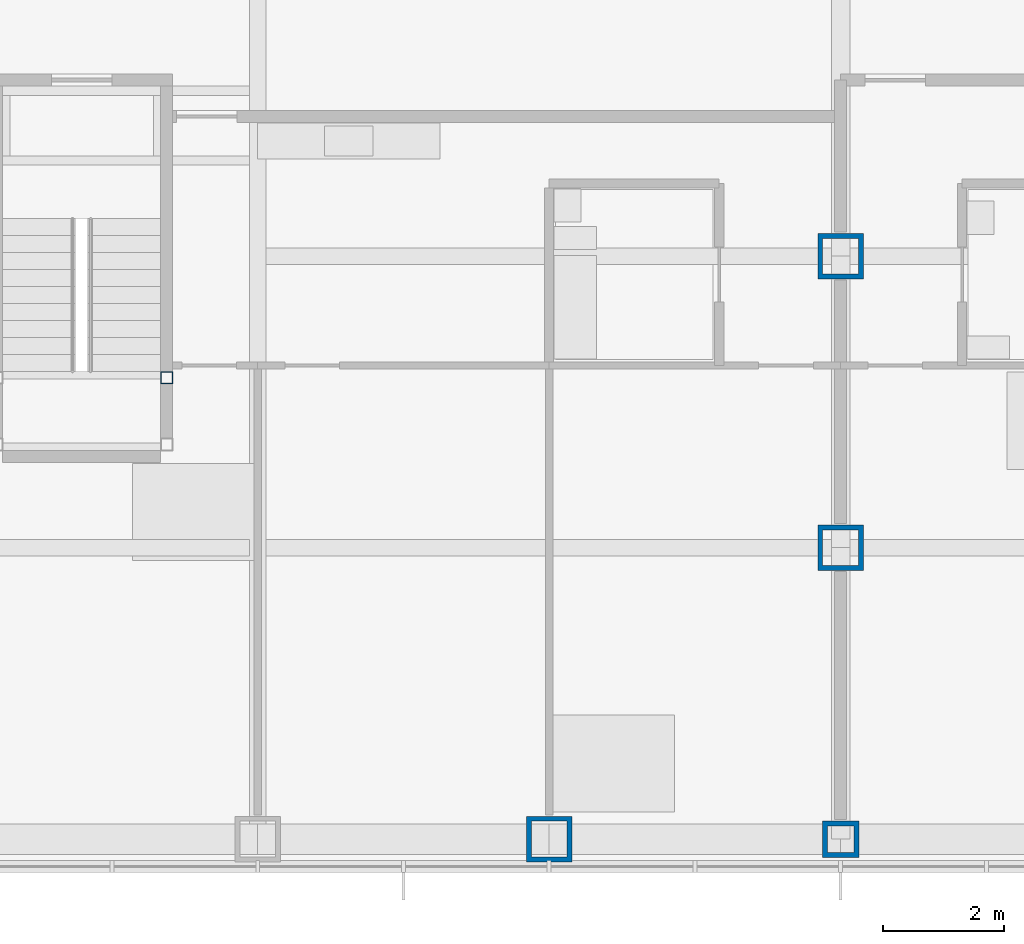
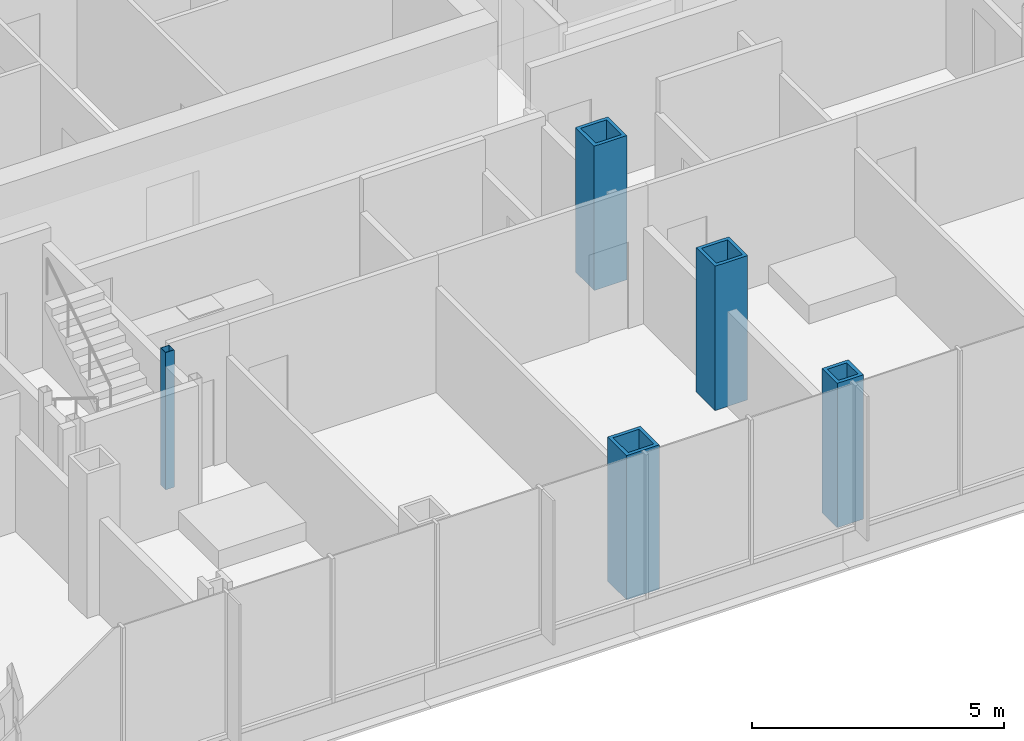
# One storey, part 2 of 21: 5 columns.
"""IFC4 building model written with IfcOpenShell, lengths in metres."""

from ifc_helpers import new_model, si_unit, direction, frame, origin, origin_2d, place, context, subcontext, project, spatial, hollow_rectangle, extrude, material, material_profile, profile_set, type_object, element, save


model = new_model("IFC4")

# Units and contexts
model_context = context("Model", 3, precision=1e-05, world=origin(), true_north=direction((0.0, 1.0)))
body_context = subcontext(model_context, "Body", "Model", "MODEL_VIEW")
ifc_project = project(units=[si_unit("LENGTHUNIT", "METRE"), si_unit("AREAUNIT", "SQUARE_METRE"), si_unit("VOLUMEUNIT", "CUBIC_METRE"), si_unit("PLANEANGLEUNIT", "RADIAN"), si_unit("MASSUNIT", "GRAM", prefix="KILO")], contexts=[model_context])

# Site, building, storey
site_placement = place(None, origin())
site = spatial("IfcSite", under=ifc_project, at=site_placement, CompositionType="ELEMENT")
building_placement = place(site_placement, origin())
building = spatial("IfcBuilding", under=site, at=building_placement, Name="Kvirike Care Tower", CompositionType="ELEMENT")
storey_placement = place(building_placement, frame((0.0, 0.0, 58.5)))
storey = spatial("IfcBuildingStorey", under=building, at=storey_placement, Name="L15", CompositionType="ELEMENT", Elevation=58.5)

# Columns
ifc_material_1 = material(Name="Steel S460", Category="steel")
ifc_material_profile_1 = material_profile(ifc_material_1, hollow_rectangle(XDim=0.60009765625, YDim=0.60009765625, WallThickness=0.080078125, at=origin_2d()), Name="BX 600x600x80")
ifc_profile_set_1 = profile_set([ifc_material_profile_1], Name="Steel S460")
column_type_1 = type_object("IfcColumnType", Name="COLUMN BX 600x600x80", PredefinedType="COLUMN", material=ifc_profile_set_1)
column_1_placement = place(storey_placement, frame((28.800048828125, 14.39990234375, 0.0), z_axis=(0.0, 0.0, 1.0), x_axis=(0.0, 1.0, 0.0)))
element("IfcColumn", 1, at=column_1_placement, inside=storey, type_object=column_type_1, Name="Column D9 L15", PredefinedType="COLUMN", context=body_context, shape_type="SweptSolid", body=[
    extrude(hollow_rectangle(XDim=0.60009765625, YDim=0.60009765625, WallThickness=0.080078125, at=origin_2d()), origin(), (0.0, 0.0, 1.0), 3.5),
])
ifc_material_2 = material(Name="Steel S460", Category="steel")
ifc_material_profile_2 = material_profile(ifc_material_2, hollow_rectangle(XDim=0.75, YDim=0.75, WallThickness=0.080078125, at=origin_2d()), Name="BX 750x750x80")
ifc_profile_set_2 = profile_set([ifc_material_profile_2], Name="Steel S460")
column_type_2 = type_object("IfcColumnType", Name="COLUMN BX 750x750x80", PredefinedType="COLUMN", material=ifc_profile_set_2)
for number, where, z_axis, x_axis, name in (
    (2, (24.0, 14.39990234375, 0.0), (0.0, 0.0, 1.0), (0.0, 1.0, 0.0), "Column D8 L15"),
    (3, (28.800048828125, 19.199951171875, 0.0), (0.0, 0.0, 1.0), (1.0, 0.0, 0.0), "Column E9 L15"),
    (4, (28.800048828125, 24.0, 0.0), (0.0, 0.0, 1.0), (1.0, 0.0, 0.0), "Column F9 L15"),
):
    element("IfcColumn", number, at=place(storey_placement, frame(where, z_axis=z_axis, x_axis=x_axis)), inside=storey, type_object=column_type_2, Name=name, PredefinedType="COLUMN", context=body_context, shape_type="SweptSolid", body=[
        extrude(hollow_rectangle(XDim=0.75, YDim=0.75, WallThickness=0.080078125, at=origin_2d()), origin(), (0.0, 0.0, 1.0), 3.5),
    ])
ifc_material_3 = material(Name="Steel S460", Category="steel")
ifc_material_profile_3 = material_profile(ifc_material_3, hollow_rectangle(XDim=0.199951171875, YDim=0.199951171875, WallThickness=0.008056640625, at=origin_2d()), Name="SHS 200x200x8")
ifc_profile_set_3 = profile_set([ifc_material_profile_3], Name="Steel S460")
column_type_3 = type_object("IfcColumnType", Name="STAIR POST SHS 200x200x8", PredefinedType="COLUMN", material=ifc_profile_set_3)
column_2_placement = place(storey_placement, frame((17.699951171875, 22.0, 0.0), z_axis=(0.0, 0.0, 1.0), x_axis=(1.0, 0.0, 0.0)))
element("IfcColumn", 5, at=column_2_placement, inside=storey, type_object=column_type_3, Name="Stair 5 post 4 L15", PredefinedType="COLUMN", context=body_context, shape_type="SweptSolid", body=[
    extrude(hollow_rectangle(XDim=0.199951171875, YDim=0.199951171875, WallThickness=0.008056640625, at=origin_2d()), origin(), (0.0, 0.0, 1.0), 3.330078125),
])

save(model, "model.ifc")
